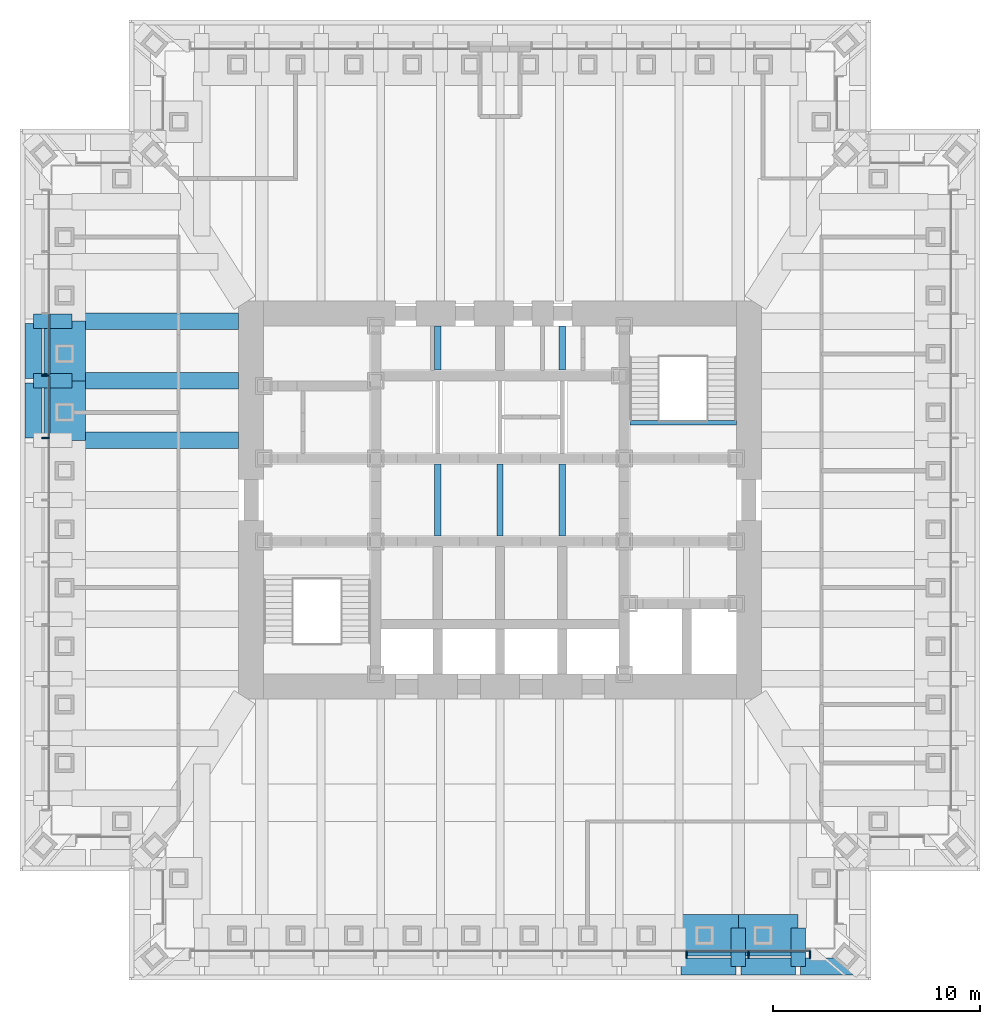
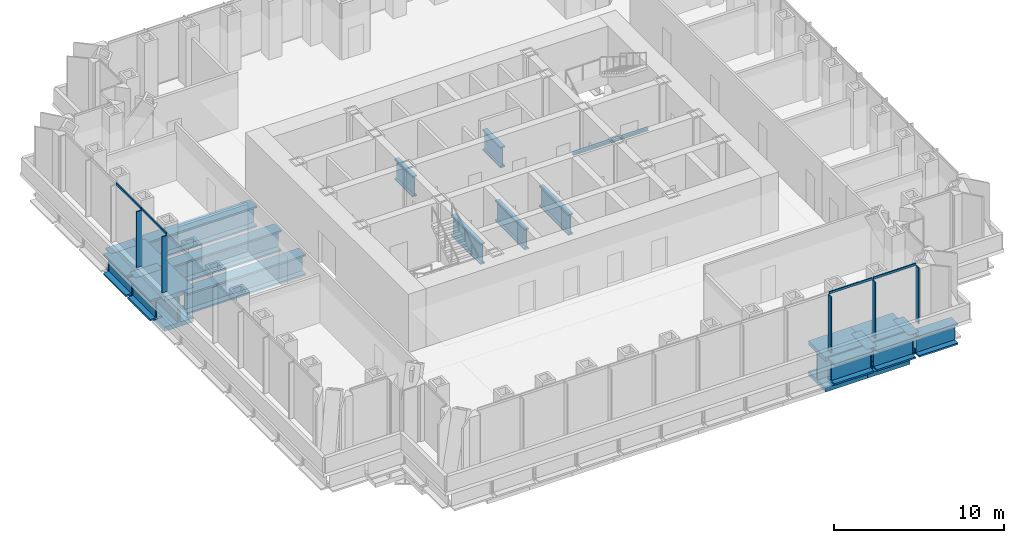
# One storey, part 3 of 12: 22 beams, 9 members, 2 elements without a shape of their own.
"""IFC4 building model written with IfcOpenShell, lengths in metres."""

import ifcopenshell
import ifcopenshell.guid

model = None  # the IFC model being written
_history = None  # IfcOwnerHistory: only IFC2X3 demands one
_inside = {}  # id of a spatial element -> (the spatial element, [elements in it])
_under = {}  # id of a project, library or spatial element -> (it, [spatial elements below it])
_declared = {}  # id of a project -> (the project, [libraries it declares])
_typed = {}  # id of a type object -> (the type object, [elements of that type])
_made_of = {}  # id of a material, layer set ... -> (it, [elements and type objects made of it])


def new_model(schema):
    """Start an empty IFC model of exactly this schema.

    Asked for "IFC4X3", IfcOpenShell would pick the latest addendum, in which some entities
    have other attributes; the version numbers below select the first issue.
    IFC2X3 requires an IfcOwnerHistory on every rooted entity: one is made here for all.
    """
    global model, _history
    if schema == "IFC4X3":
        model = ifcopenshell.file(schema_version=(4, 3, 0, 0))
    else:
        model = ifcopenshell.file(schema=schema)
    _inside.clear()
    _under.clear()
    _declared.clear()
    _typed.clear()
    _made_of.clear()
    _history = None
    if model.schema == "IFC2X3":
        org = make("IfcOrganization", Name="unknown")
        user = make(
            "IfcPersonAndOrganization",
            ThePerson=make("IfcPerson", FamilyName="unknown"),
            TheOrganization=org,
        )
        app = make(
            "IfcApplication",
            ApplicationDeveloper=org,
            Version="unknown",
            ApplicationFullName="unknown",
            ApplicationIdentifier="unknown",
        )
        _history = make(
            "IfcOwnerHistory",
            OwningUser=user,
            OwningApplication=app,
            ChangeAction="ADDED",
            CreationDate=0,
        )
    return model


def make(cls, **values):
    """One entity of the class cls with the attributes given. An attribute that is None is left unset."""
    return model.create_entity(
        cls, **{name: value for name, value in values.items() if value is not None}
    )


def rooted(cls, **values):
    """An entity with a GlobalId (a new one), such as an element, a storey or a relation."""
    return make(cls, GlobalId=ifcopenshell.guid.new(), OwnerHistory=_history, **values)


def si_unit(unit_type, name, prefix=None):
    """IfcSIUnit, for example si_unit("LENGTHUNIT", "METRE", prefix="MILLI")."""
    return make("IfcSIUnit", UnitType=unit_type, Prefix=prefix, Name=name)


def assignment(units):
    """IfcUnitAssignment: the units of a project."""
    return None if units is None else make("IfcUnitAssignment", Units=units)


def point(xyz):
    """IfcCartesianPoint."""
    return None if xyz is None else make("IfcCartesianPoint", Coordinates=xyz)


def direction(xyz):
    """IfcDirection."""
    return None if xyz is None else make("IfcDirection", DirectionRatios=xyz)


def frame(location, z_axis=None, x_axis=None):
    """IfcAxis2Placement3D, a coordinate frame: its origin and axes. An axis left out is left unset."""
    return make(
        "IfcAxis2Placement3D",
        Location=point(location),
        Axis=direction(z_axis),
        RefDirection=direction(x_axis),
    )


def frame_2d(location, x_axis=None):
    """IfcAxis2Placement2D, a coordinate frame in the plane: its origin and x axis."""
    return make(
        "IfcAxis2Placement2D", Location=point(location), RefDirection=direction(x_axis)
    )


def origin():
    """The frame at (0, 0, 0) with its axes left unset."""
    return frame((0.0, 0.0, 0.0))


def origin_2d():
    """The frame at (0, 0) in the plane with its x axis left unset."""
    return frame_2d((0.0, 0.0))


def place(relative_to, where):
    """IfcLocalPlacement: puts the frame where relative to a parent placement (None: the world)."""
    return make(
        "IfcLocalPlacement", PlacementRelTo=relative_to, RelativePlacement=where
    )


def context(
    kind, dimensions, precision=None, world=None, true_north=None, identifier=None
):
    """IfcGeometricRepresentationContext, for example the 3D "Model" context."""
    return make(
        "IfcGeometricRepresentationContext",
        ContextIdentifier=identifier,
        ContextType=kind,
        CoordinateSpaceDimension=dimensions,
        Precision=precision,
        WorldCoordinateSystem=world,
        TrueNorth=true_north,
    )


def subcontext(parent, identifier, kind, view, scale=None):
    """IfcGeometricRepresentationSubContext, for example "Body" below "Model"."""
    return make(
        "IfcGeometricRepresentationSubContext",
        ContextIdentifier=identifier,
        ContextType=kind,
        ParentContext=parent,
        TargetScale=scale,
        TargetView=view,
    )


def project(units=None, contexts=None):
    """IfcProject with its units and contexts."""
    return rooted(
        "IfcProject",
        Name="project",
        RepresentationContexts=contexts,
        UnitsInContext=assignment(units),
    )


def spatial(cls, under=None, at=None, **own):
    """A site, building, storey or space (cls), placed at a placement, below another one or the project."""
    s = rooted(cls, ObjectPlacement=at, **own)
    if under is not None:
        _under.setdefault(under.id(), (under, []))[1].append(s)
    return s


def profile(cls, at=None, kind="AREA", **sizes):
    """A parametric profile (cls). Its sizes go by their IFC names, for example OverallWidth=200.0."""
    return make(cls, ProfileType=kind, Position=at, **sizes)


def rectangle(**sizes):
    """IfcRectangleProfileDef."""
    return profile("IfcRectangleProfileDef", **sizes)


def i_section(**sizes):
    """IfcIShapeProfileDef."""
    return profile("IfcIShapeProfileDef", **sizes)


def extrude(swept, where, along, depth):
    """IfcExtrudedAreaSolid: the profile swept, set in the frame where, extruded along a direction by depth."""
    return make(
        "IfcExtrudedAreaSolid",
        SweptArea=swept,
        Position=where,
        ExtrudedDirection=direction(along),
        Depth=depth,
    )


def shape(context_of_items, identifier, shape_type, items):
    """IfcShapeRepresentation: the items that make up one representation, for example the "Body"."""
    return make(
        "IfcShapeRepresentation",
        ContextOfItems=context_of_items,
        RepresentationIdentifier=identifier,
        RepresentationType=shape_type,
        Items=items,
    )


def material(Name=None, Category=None):
    """IfcMaterial."""
    return make("IfcMaterial", Name=Name, Category=Category)


def material_profile(
    of_material, cross_section, Name=None, Category=None, Priority=None
):
    """IfcMaterialProfile: a cross section and its material."""
    return make(
        "IfcMaterialProfile",
        Name=Name,
        Material=of_material,
        Profile=cross_section,
        Priority=Priority,
        Category=Category,
    )


def profile_set(profiles, Name=None, composite=None):
    """IfcMaterialProfileSet."""
    return make(
        "IfcMaterialProfileSet",
        Name=Name,
        MaterialProfiles=profiles,
        CompositeProfile=composite,
    )


def made_of(thing, what):
    """Note that an element or type object is made of a material, layer set ...; save() writes the relation."""
    if what is not None:
        _made_of.setdefault(what.id(), (what, []))[1].append(thing)
    return thing


def type_object(cls, material=None, **own):
    """A type object (cls), such as IfcWallType, which elements share."""
    return made_of(rooted(cls, **own), material)


def element(
    cls,
    number,
    at=None,
    inside=None,
    cuts=None,
    type_object=None,
    material=None,
    context=None,
    identifier="Body",
    shape_type=None,
    held_by="IfcProductDefinitionShape",
    body=None,
    shapes=None,
    **own,
):
    """One element of the class cls, such as IfcWall. Its Tag is "e" and its number.

    at: its placement. inside: the storey or other place that contains it. cuts: it is an
    opening in that element (IfcRelVoidsElement). A single representation is given by context,
    identifier, shape_type and body (its items); several are given by shapes. held_by: the class
    of the entity that holds the representations. save() writes the other relations.
    """
    e = rooted(cls, Tag="e%d" % number, ObjectPlacement=at, **own)
    if body is not None:
        shapes = [shape(context, identifier, shape_type, body)]
    if shapes is not None:
        e.Representation = make(held_by, Representations=shapes)
    if inside is not None:
        _inside.setdefault(inside.id(), (inside, []))[1].append(e)
    if cuts is not None:
        rooted(
            "IfcRelVoidsElement", RelatingBuildingElement=cuts, RelatedOpeningElement=e
        )
    if type_object is not None:
        _typed.setdefault(type_object.id(), (type_object, []))[1].append(e)
    return made_of(e, material)


def aggregate(whole, parts):
    """IfcRelAggregates: a whole, such as a stair, and the parts it consists of."""
    return rooted("IfcRelAggregates", RelatingObject=whole, RelatedObjects=parts)


def save(model, path):
    """Write the relations noted so far, then the file.

    IfcRelAggregates (storeys below a building ...), IfcRelContainedInSpatialStructure (elements
    in a storey), IfcRelDefinesByType, IfcRelAssociatesMaterial and IfcRelDeclares: one each for
    every whole, place, type object, material and project.
    """
    for whole, parts in _under.values():
        aggregate(whole, parts)
    for where, things in _inside.values():
        rooted(
            "IfcRelContainedInSpatialStructure",
            RelatedElements=things,
            RelatingStructure=where,
        )
    for kind, things in _typed.values():
        rooted("IfcRelDefinesByType", RelatedObjects=things, RelatingType=kind)
    for what, things in _made_of.values():
        rooted("IfcRelAssociatesMaterial", RelatedObjects=things, RelatingMaterial=what)
    for by, libraries in _declared.values():
        rooted("IfcRelDeclares", RelatingContext=by, RelatedDefinitions=libraries)
    model.write(path)


model = new_model("IFC4")

# Units and contexts
model_context = context("Model", 3, precision=1e-05, world=origin(), true_north=direction((0.0, 1.0)))
body_context = subcontext(model_context, "Body", "Model", "MODEL_VIEW")
ifc_project = project(units=[si_unit("LENGTHUNIT", "METRE"), si_unit("AREAUNIT", "SQUARE_METRE"), si_unit("VOLUMEUNIT", "CUBIC_METRE"), si_unit("PLANEANGLEUNIT", "RADIAN"), si_unit("MASSUNIT", "GRAM", prefix="KILO")], contexts=[model_context])

# Site, building, storey
site_placement = place(None, origin())
site = spatial("IfcSite", under=ifc_project, at=site_placement, CompositionType="ELEMENT")
building_placement = place(site_placement, origin())
building = spatial("IfcBuilding", under=site, at=building_placement, Name="Daluyong Arena Tower", CompositionType="ELEMENT")
storey_placement = place(building_placement, frame((0.0, 0.0, 181.300048828125)))
storey = spatial("IfcBuildingStorey", under=building, at=storey_placement, Name="L40", CompositionType="ELEMENT", Elevation=181.300048828125)

# Curtain wall, members
ifc_material_1 = material(Name="Bronze anodised aluminium and glass", Category="aluminium")
curtain_wall_type = type_object("IfcCurtainWallType", Name="Curtain wall CW3", PredefinedType="USERDEFINED", material=ifc_material_1)
curtain_wall_1_placement = place(storey_placement, origin())
curtain_wall_1 = element("IfcCurtainWall", 1, at=curtain_wall_1_placement, inside=storey, type_object=curtain_wall_type, Name="curtain wall L40 S", ObjectType="UNITISED CURTAIN WALL", PredefinedType="USERDEFINED")
ifc_material_2 = material(Name="Bronze anodised aluminium fin", Category="aluminium")
ifc_material_profile_1 = material_profile(ifc_material_2, rectangle(XDim=0.35009765625, YDim=0.070068359375, at=origin_2d()))
ifc_profile_set_1 = profile_set([ifc_material_profile_1], Name="Bronze anodised aluminium fin")
member_type_1 = type_object("IfcMemberType", Name="CW3 bronze fin 350x70", PredefinedType="MULLION", material=ifc_profile_set_1)
member_1_placement = place(storey_placement, frame((64.99072265625, 58.074951171875, 0.0), z_axis=(0.0, 0.0, 1.0), x_axis=(0.0, 1.0, 0.0)))
member_1 = element("IfcMember", 2, at=member_1_placement, type_object=member_type_1, Name="curtain wall L40 S fin 9", PredefinedType="MULLION", context=body_context, shape_type="SweptSolid", body=[
    extrude(rectangle(XDim=0.35009765625, YDim=0.070068359375, at=origin_2d()), origin(), (0.0, 0.0, 1.0), 4.0400390625),
])
member_2_placement = place(storey_placement, frame((67.987548828125, 58.074951171875, 0.0), z_axis=(0.0, 0.0, 1.0), x_axis=(0.0, 1.0, 0.0)))
member_2 = element("IfcMember", 3, at=member_2_placement, type_object=member_type_1, Name="curtain wall L40 S fin 10", PredefinedType="MULLION", context=body_context, shape_type="SweptSolid", body=[
    extrude(rectangle(XDim=0.35009765625, YDim=0.070068359375, at=origin_2d()), origin(), (0.0, 0.0, 1.0), 4.0400390625),
])
member_3_placement = place(storey_placement, frame((70.949462890625, 58.074951171875, 0.0), z_axis=(0.0, 0.0, 1.0), x_axis=(0.0, 1.0, 0.0)))
member_3 = element("IfcMember", 4, at=member_3_placement, type_object=member_type_1, Name="curtain wall L40 S fin 11", PredefinedType="MULLION", context=body_context, shape_type="SweptSolid", body=[
    extrude(rectangle(XDim=0.35009765625, YDim=0.070068359375, at=origin_2d()), origin(), (0.0, 0.0, 1.0), 4.0400390625),
])

curtain_wall_2_placement = place(storey_placement, origin())
curtain_wall_2 = element("IfcCurtainWall", 5, at=curtain_wall_2_placement, inside=storey, type_object=curtain_wall_type, Name="curtain wall L40 W", ObjectType="UNITISED CURTAIN WALL", PredefinedType="USERDEFINED")
member_4_placement = place(storey_placement, frame((34.074951171875, 85.993896484375, 0.0), z_axis=(0.0, 0.0, 1.0), x_axis=(1.0, 0.0, 0.0)))
member_4 = element("IfcMember", 6, at=member_4_placement, type_object=member_type_1, Name="curtain wall L40 W fin 4", PredefinedType="MULLION", context=body_context, shape_type="SweptSolid", body=[
    extrude(rectangle(XDim=0.35009765625, YDim=0.070068359375, at=origin_2d()), origin(), (0.0, 0.0, 1.0), 4.0400390625),
])
member_5_placement = place(storey_placement, frame((34.074951171875, 82.996826171875, 0.0), z_axis=(0.0, 0.0, 1.0), x_axis=(1.0, 0.0, 0.0)))
member_5 = element("IfcMember", 7, at=member_5_placement, type_object=member_type_1, Name="curtain wall L40 W fin 5", PredefinedType="MULLION", context=body_context, shape_type="SweptSolid", body=[
    extrude(rectangle(XDim=0.35009765625, YDim=0.070068359375, at=origin_2d()), origin(), (0.0, 0.0, 1.0), 4.0400390625),
])

# Member
ifc_material_3 = material(Name="Bronze anodised aluminium", Category="aluminium")
ifc_material_profile_2 = material_profile(ifc_material_3, rectangle(XDim=0.070068359375, YDim=0.159912109375, at=origin_2d()))
ifc_profile_set_2 = profile_set([ifc_material_profile_2], Name="Bronze anodised aluminium")
member_type_2 = type_object("IfcMemberType", Name="CW3 stack transom 160x70", PredefinedType="USERDEFINED", material=ifc_profile_set_2)
member_6_placement = place(storey_placement, frame((65.025634765625, 58.25, 4.119873046875), z_axis=(1.0, 0.0, 0.0), x_axis=(0.0, 1.0, 0.0)))
member_6 = element("IfcMember", 8, at=member_6_placement, type_object=member_type_2, Name="curtain wall L40 S transom 9", ObjectType="TRANSOM", PredefinedType="USERDEFINED", context=body_context, shape_type="SweptSolid", body=[
    extrude(rectangle(XDim=0.070068359375, YDim=0.159912109375, at=origin_2d()), origin(), (0.0, 0.0, 1.0), 2.927001953125),
])

member_7_placement = place(storey_placement, frame((68.022705078125, 58.25, 4.119873046875), z_axis=(1.0, 0.0, 0.0), x_axis=(0.0, 1.0, 0.0)))
member_7 = element("IfcMember", 9, at=member_7_placement, type_object=member_type_2, Name="curtain wall L40 S transom 10", ObjectType="TRANSOM", PredefinedType="USERDEFINED", context=body_context, shape_type="SweptSolid", body=[
    extrude(rectangle(XDim=0.070068359375, YDim=0.159912109375, at=origin_2d()), origin(), (0.0, 0.0, 1.0), 2.891845703125),
])

aggregate(curtain_wall_1, [member_1, member_2, member_3, member_6, member_7])

member_8_placement = place(storey_placement, frame((34.25, 88.955810546875, 4.119873046875), z_axis=(0.0, -1.0, 0.0), x_axis=(1.0, 0.0, 0.0)))
member_8 = element("IfcMember", 10, at=member_8_placement, type_object=member_type_2, Name="curtain wall L40 W transom 3", ObjectType="TRANSOM", PredefinedType="USERDEFINED", context=body_context, shape_type="SweptSolid", body=[
    extrude(rectangle(XDim=0.070068359375, YDim=0.159912109375, at=origin_2d()), origin(), (0.0, 0.0, 1.0), 2.927001953125),
])

member_9_placement = place(storey_placement, frame((34.25, 85.958740234375, 4.119873046875), z_axis=(0.0, -1.0, 0.0), x_axis=(1.0, 0.0, 0.0)))
member_9 = element("IfcMember", 11, at=member_9_placement, type_object=member_type_2, Name="curtain wall L40 W transom 4", ObjectType="TRANSOM", PredefinedType="USERDEFINED", context=body_context, shape_type="SweptSolid", body=[
    extrude(rectangle(XDim=0.070068359375, YDim=0.159912109375, at=origin_2d()), origin(), (0.0, 0.0, 1.0), 2.9267578125),
])

aggregate(curtain_wall_2, [member_4, member_5, member_8, member_9])

# Beams
ifc_material_4 = material(Name="Steel ASTM A588 Grade 50", Category="steel")
ifc_material_profile_3 = material_profile(ifc_material_4, i_section(OverallWidth=0.800048828125, OverallDepth=1.5, WebThickness=0.05, FlangeThickness=0.12, at=origin_2d()))
ifc_profile_set_3 = profile_set([ifc_material_profile_3], Name="Steel ASTM A588 Grade 50")
beam_type_1 = type_object("IfcBeamType", Name="Floor beam PG1500X800", PredefinedType="BEAM", material=ifc_profile_set_3)
for number, where, z_axis, x_axis, name in (
    (12, (35.35009765625, 88.625, -1.0), (1.0, 0.0, 0.0), (0.0, 1.0, 0.0), "floor beam FB9"),
    (13, (35.35009765625, 85.75, -1.0), (1.0, 0.0, 0.0), (0.0, 1.0, 0.0), "floor beam FB9"),
    (14, (35.35009765625, 82.875, -1.0), (1.0, 0.0, 0.0), (0.0, 1.0, 0.0), "floor beam FB9"),
):
    element("IfcBeam", number, at=place(storey_placement, frame(where, z_axis=z_axis, x_axis=x_axis)), inside=storey, type_object=beam_type_1, Name=name, PredefinedType="BEAM", context=body_context, shape_type="SweptSolid", body=[
        extrude(i_section(OverallWidth=0.800048828125, OverallDepth=1.5, WebThickness=0.05, FlangeThickness=0.12, at=origin_2d()), origin(), (0.0, 0.0, 1.0), 8.0498046875),
    ])
ifc_material_5 = material(Name="Steel ASTM A572 Grade 50", Category="steel")
ifc_material_profile_4 = material_profile(ifc_material_5, i_section(OverallWidth=0.300048828125, OverallDepth=1.5, WebThickness=0.04, FlangeThickness=0.1, at=origin_2d()))
ifc_profile_set_4 = profile_set([ifc_material_profile_4], Name="Steel ASTM A572 Grade 50")
beam_type_2 = type_object("IfcBeamType", Name="Lift divider beam PG1500X300", PredefinedType="BEAM", material=ifc_profile_set_4)
beam_1_placement = place(storey_placement, frame((53.0, 78.27490234375, -1.0), z_axis=(0.0, 1.0, 0.0), x_axis=(-1.0, 0.0, 0.0)))
element("IfcBeam", 15, at=beam_1_placement, inside=storey, type_object=beam_type_2, Name="lift divider beam DB2", PredefinedType="BEAM", context=body_context, shape_type="SweptSolid", body=[
    extrude(i_section(OverallWidth=0.300048828125, OverallDepth=1.5, WebThickness=0.04, FlangeThickness=0.1, at=origin_2d()), origin(), (0.0, 0.0, 1.0), 3.4501953125),
])
beam_2_placement = place(storey_placement, frame((53.0, 86.27490234375, -1.0), z_axis=(0.0, 1.0, 0.0), x_axis=(-1.0, 0.0, 0.0)))
element("IfcBeam", 16, at=beam_2_placement, inside=storey, type_object=beam_type_2, Name="lift divider beam DB2", PredefinedType="BEAM", context=body_context, shape_type="SweptSolid", body=[
    extrude(i_section(OverallWidth=0.300048828125, OverallDepth=1.5, WebThickness=0.04, FlangeThickness=0.1, at=origin_2d()), origin(), (0.0, 0.0, 1.0), 2.125),
])
for number, where, z_axis, x_axis, name in (
    (17, (56.0, 78.27490234375, -1.0), (0.0, 1.0, 0.0), (-1.0, 0.0, 0.0), "lift divider beam DB2"),
    (18, (59.0, 78.27490234375, -1.0), (0.0, 1.0, 0.0), (-1.0, 0.0, 0.0), "lift divider beam DB2"),
):
    element("IfcBeam", number, at=place(storey_placement, frame(where, z_axis=z_axis, x_axis=x_axis)), inside=storey, type_object=beam_type_2, Name=name, PredefinedType="BEAM", context=body_context, shape_type="SweptSolid", body=[
        extrude(i_section(OverallWidth=0.300048828125, OverallDepth=1.5, WebThickness=0.04, FlangeThickness=0.1, at=origin_2d()), origin(), (0.0, 0.0, 1.0), 3.4501953125),
    ])
beam_3_placement = place(storey_placement, frame((59.0, 86.27490234375, -1.0), z_axis=(0.0, 1.0, 0.0), x_axis=(-1.0, 0.0, 0.0)))
element("IfcBeam", 19, at=beam_3_placement, inside=storey, type_object=beam_type_2, Name="lift divider beam DB2", PredefinedType="BEAM", context=body_context, shape_type="SweptSolid", body=[
    extrude(i_section(OverallWidth=0.300048828125, OverallDepth=1.5, WebThickness=0.04, FlangeThickness=0.1, at=origin_2d()), origin(), (0.0, 0.0, 1.0), 2.125),
])
ifc_material_6 = material(Name="Steel ASTM A588 Grade 50", Category="steel")
ifc_material_profile_5 = material_profile(ifc_material_6, i_section(OverallWidth=0.800048828125, OverallDepth=1.5, WebThickness=0.05, FlangeThickness=0.12, at=origin_2d()))
ifc_profile_set_5 = profile_set([ifc_material_profile_5], Name="Steel ASTM A588 Grade 50")
beam_type_3 = type_object("IfcBeamType", Name="Spandrel Z2 PG1500X800", PredefinedType="SPANDREL", material=ifc_profile_set_5)
for number, where, z_axis, x_axis, name in (
    (20, (64.739990234375, 57.5, -1.0), (1.0, 0.0, 0.0), (0.0, 1.0, 0.0), "spandrel z2 SB5"),
    (21, (67.614990234375, 57.5, -1.0), (1.0, 0.0, 0.0), (0.0, 1.0, 0.0), "spandrel z2 SB5"),
    (22, (70.489990234375, 57.5, -1.0), (1.0, 0.0, 0.0), (0.0, 1.0, 0.0), "spandrel z2 SB5"),
    (23, (33.5, 88.510009765625, -1.0), (0.0, -1.0, 0.0), (1.0, 0.0, 0.0), "spandrel z2 SB5"),
    (24, (33.5, 85.635009765625, -1.0), (0.0, -1.0, 0.0), (1.0, 0.0, 0.0), "spandrel z2 SB5"),
):
    element("IfcBeam", number, at=place(storey_placement, frame(where, z_axis=z_axis, x_axis=x_axis)), inside=storey, type_object=beam_type_3, Name=name, PredefinedType="SPANDREL", context=body_context, shape_type="SweptSolid", body=[
        extrude(i_section(OverallWidth=0.800048828125, OverallDepth=1.5, WebThickness=0.05, FlangeThickness=0.12, at=origin_2d()), origin(), (0.0, 0.0, 1.0), 2.64501953125),
    ])
ifc_material_7 = material(Name="Steel ASTM A992 Grade 50", Category="steel")
ifc_material_profile_6 = material_profile(ifc_material_7, i_section(OverallWidth=0.203125, OverallDepth=0.203125, WebThickness=0.00732421875, FlangeThickness=0.010986328125, at=origin_2d()))
ifc_profile_set_6 = profile_set([ifc_material_profile_6], Name="Steel ASTM A992 Grade 50")
beam_type_4 = type_object("IfcBeamType", Name="Stair landing beam W8X31", PredefinedType="BEAM", material=ifc_profile_set_6)
beam_4_placement = place(storey_placement, frame((62.27490234375, 83.723388671875, -0.3515625), z_axis=(1.0, 0.0, 0.0), x_axis=(0.0, 1.0, 0.0)))
element("IfcBeam", 25, at=beam_4_placement, inside=storey, type_object=beam_type_4, Name="exit stair B landing beam", PredefinedType="BEAM", context=body_context, shape_type="SweptSolid", body=[
    extrude(i_section(OverallWidth=0.203125, OverallDepth=0.203125, WebThickness=0.00732421875, FlangeThickness=0.010986328125, at=origin_2d()), origin(), (0.0, 0.0, 1.0), 5.125),
])
ifc_material_8 = material(Name="Steel ASTM A572 Grade 50", Category="steel")
ifc_material_profile_7 = material_profile(ifc_material_8, i_section(OverallWidth=0.699951171875, OverallDepth=1.5, WebThickness=0.04, FlangeThickness=0.08, at=origin_2d()))
ifc_profile_set_7 = profile_set([ifc_material_profile_7], Name="Steel ASTM A572 Grade 50")
beam_type_5 = type_object("IfcBeamType", Name="Transfer beam PG1500X700", PredefinedType="BEAM", material=ifc_profile_set_7)
for number, where, z_axis, x_axis, name in (
    (26, (67.5, 57.5, -1.0), (0.0, 1.0, 0.0), (-1.0, 0.0, 0.0), "transfer beam TR6"),
    (27, (70.375, 57.5, -1.0), (0.0, 1.0, 0.0), (-1.0, 0.0, 0.0), "transfer beam TR6"),
    (28, (33.5, 88.625, -1.0), (1.0, 0.0, 0.0), (0.0, 1.0, 0.0), "transfer beam TR6"),
    (29, (33.5, 85.75, -1.0), (1.0, 0.0, 0.0), (0.0, 1.0, 0.0), "transfer beam TR6"),
):
    element("IfcBeam", number, at=place(storey_placement, frame(where, z_axis=z_axis, x_axis=x_axis)), inside=storey, type_object=beam_type_5, Name=name, PredefinedType="BEAM", context=body_context, shape_type="SweptSolid", body=[
        extrude(i_section(OverallWidth=0.699951171875, OverallDepth=1.5, WebThickness=0.04, FlangeThickness=0.08, at=origin_2d()), origin(), (0.0, 0.0, 1.0), 1.85009765625),
    ])
ifc_material_9 = material(Name="Steel ASTM A36", Category="steel")
ifc_material_profile_8 = material_profile(ifc_material_9, i_section(OverallWidth=2.0, OverallDepth=2.5, WebThickness=0.12, FlangeThickness=0.3, at=origin_2d()))
ifc_profile_set_8 = profile_set([ifc_material_profile_8], Name="Steel ASTM A36")
beam_type_6 = type_object("IfcBeamType", Name="Transfer beam PG2500X2000", PredefinedType="BEAM", material=ifc_profile_set_8)
for number, where, z_axis, x_axis, name in (
    (30, (64.625, 59.0, -1.5), (1.0, 0.0, 0.0), (0.0, 1.0, 0.0), "transfer beam TR3"),
    (31, (67.5, 59.0, -1.5), (1.0, 0.0, 0.0), (0.0, 1.0, 0.0), "transfer beam TR3"),
    (32, (35.0, 82.875, -1.5), (0.0, 1.0, 0.0), (-1.0, 0.0, 0.0), "transfer beam TR3"),
    (33, (35.0, 85.75, -1.5), (0.0, 1.0, 0.0), (-1.0, 0.0, 0.0), "transfer beam TR3"),
):
    element("IfcBeam", number, at=place(storey_placement, frame(where, z_axis=z_axis, x_axis=x_axis)), inside=storey, type_object=beam_type_6, Name=name, PredefinedType="BEAM", context=body_context, shape_type="SweptSolid", body=[
        extrude(i_section(OverallWidth=2.0, OverallDepth=2.5, WebThickness=0.12, FlangeThickness=0.3, at=origin_2d()), origin(), (0.0, 0.0, 1.0), 2.875),
    ])

save(model, "model.ifc")
